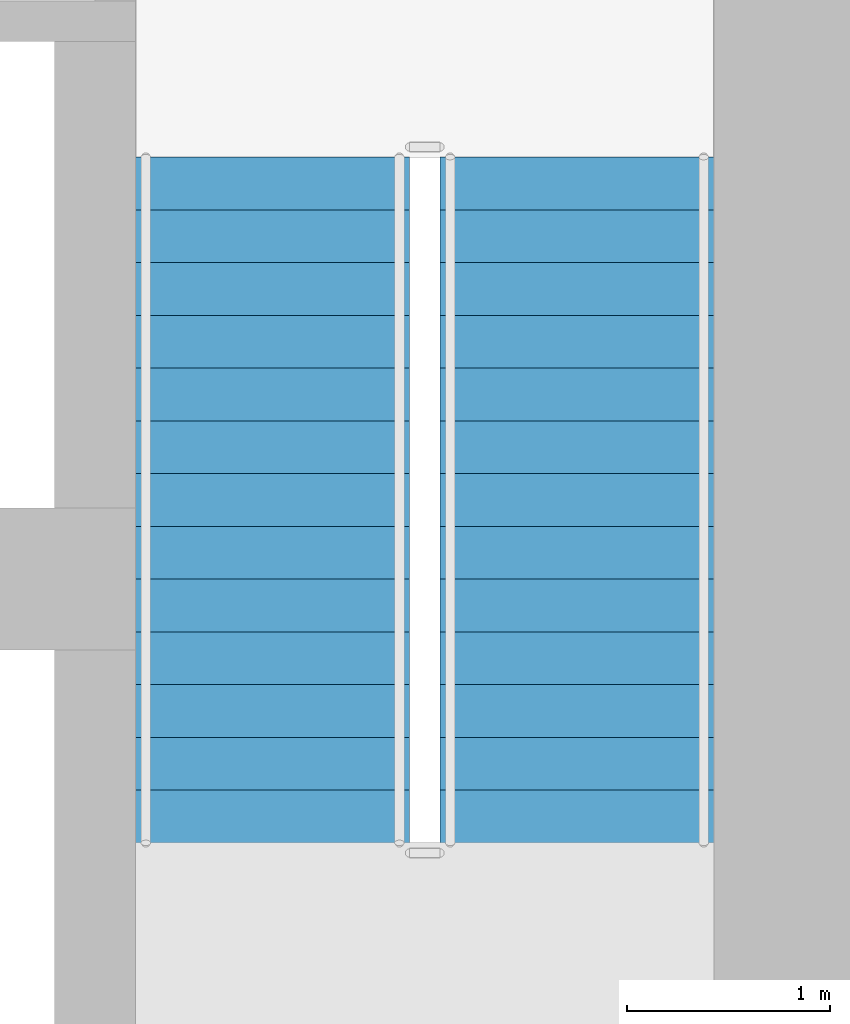
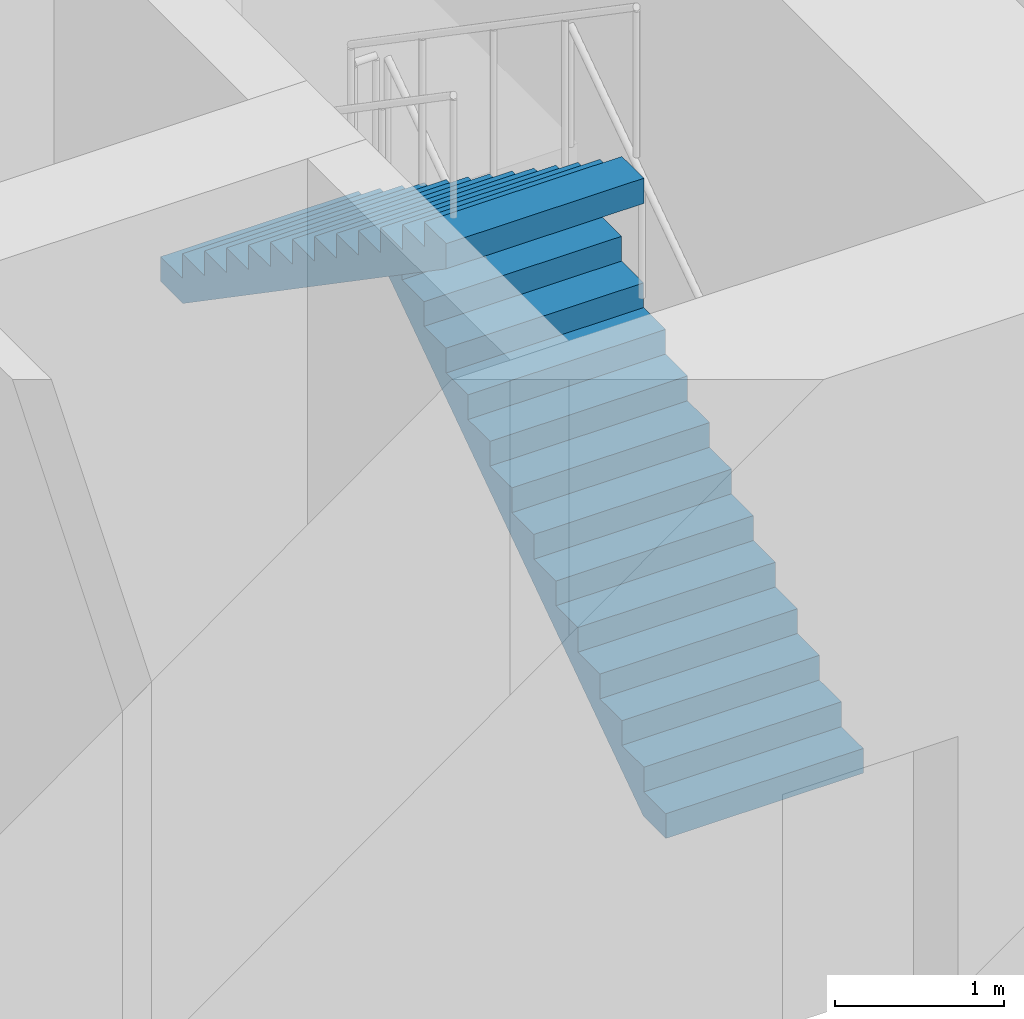
# One storey, part 10 of 15: 2 stair flights, 1 element without a shape of its own.
"""IFC4 building model written with IfcOpenShell, lengths in metres."""

from ifc_helpers import new_model, si_unit, direction, frame, origin, place, context, subcontext, project, spatial, polyline, outline, extrude, material, layer, layer_set, type_object, element, aggregate, save


model = new_model("IFC4")

# Units and contexts
model_context = context("Model", 3, precision=1e-05, world=origin(), true_north=direction((0.0, 1.0)))
body_context = subcontext(model_context, "Body", "Model", "MODEL_VIEW")
ifc_project = project(units=[si_unit("LENGTHUNIT", "METRE"), si_unit("AREAUNIT", "SQUARE_METRE"), si_unit("VOLUMEUNIT", "CUBIC_METRE"), si_unit("PLANEANGLEUNIT", "RADIAN"), si_unit("MASSUNIT", "GRAM", prefix="KILO")], contexts=[model_context])

# Site, building, storey
site_placement = place(None, origin())
site = spatial("IfcSite", under=ifc_project, at=site_placement, CompositionType="ELEMENT")
building_placement = place(site_placement, origin())
building = spatial("IfcBuilding", under=site, at=building_placement, Name="White Candle Pilgrim Tower", CompositionType="ELEMENT")
storey_placement = place(building_placement, frame((0.0, 0.0, 137.60009765625)))
storey = spatial("IfcBuildingStorey", under=building, at=storey_placement, Name="L31", CompositionType="ELEMENT", Elevation=137.60009765625)

# Stair, stair flights
ifc_material = material(Name="Concrete C40/50", Category="concrete")
stair_type = type_object("IfcStairType", Name="Exit stair 2 flight width 1350 mm", PredefinedType="HALF_TURN_STAIR", material=ifc_material)
stair_placement = place(storey_placement, origin())
stair = element("IfcStair", 1, at=stair_placement, inside=storey, type_object=stair_type, Name="L31 stair 2", PredefinedType="NOTDEFINED")
ifc_layer = layer(ifc_material, 0.14990234375)
ifc_layer_set = layer_set([ifc_layer], Name="Stair flight Concrete C40/50")
stair_flight_type = type_object("IfcStairFlightType", Name="Stair flight Concrete C40/50", PredefinedType="STRAIGHT", material=ifc_layer_set)
stair_flight_1_placement = place(storey_placement, frame((79.125, 73.550048828125, 0.0), z_axis=(0.0, 0.0, 1.0), x_axis=(0.0, 1.0, 0.0)))
stair_flight_1 = element("IfcStairFlight", 2, at=stair_flight_1_placement, type_object=stair_flight_type, Name="ST2 flight 1", NumberOfRisers=14, NumberOfTreads=13, PredefinedType="NOTDEFINED", RiserHeight=0.178571429, TreadLength=0.26, context=body_context, shape_type="SweptSolid", body=[
    extrude(outline(polyline([(0.0, 0.0), (0.0, 0.178466796875), (0.260009765625, 0.178466796875), (0.260009765625, 0.357177734375), (0.52001953125, 0.357177734375), (0.52001953125, 0.53564453125), (0.780029296875, 0.53564453125), (0.780029296875, 0.71435546875), (1.0400390625, 0.71435546875), (1.0400390625, 0.892822265625), (1.300048828125, 0.892822265625), (1.300048828125, 1.071533203125), (1.56005859375, 1.071533203125), (1.56005859375, 1.25), (1.820068359375, 1.25), (1.820068359375, 1.428466796875), (2.080078125, 1.428466796875), (2.080078125, 1.607177734375), (2.340087890625, 1.607177734375), (2.340087890625, 1.78564453125), (2.60009765625, 1.78564453125), (2.60009765625, 1.96435546875), (2.860107421875, 1.96435546875), (2.860107421875, 2.142822265625), (3.1201171875, 2.142822265625), (3.1201171875, 2.321533203125), (3.3798828125, 2.321533203125), (3.3798828125, 2.5), (3.3798828125, 2.1396484375), (0.264892578125, 0.0), (0.0, 0.0)])), frame((0.0, 0.675048828125, 0.0), z_axis=(0.0, -1.0, 0.0), x_axis=(1.0, 0.0, 0.0)), (0.0, 0.0, 1.0), 1.35009765625),
])
stair_flight_2_placement = place(storey_placement, frame((77.625, 76.929931640625, 2.5), z_axis=(0.0, 0.0, 1.0), x_axis=(0.0, -1.0, 0.0)))
stair_flight_2 = element("IfcStairFlight", 3, at=stair_flight_2_placement, type_object=stair_flight_type, Name="ST2 flight 2", NumberOfRisers=14, NumberOfTreads=13, PredefinedType="NOTDEFINED", RiserHeight=0.178571429, TreadLength=0.26, context=body_context, shape_type="SweptSolid", body=[
    extrude(outline(polyline([(0.0, 0.0), (0.0, 0.178466796875), (0.260009765625, 0.178466796875), (0.260009765625, 0.357177734375), (0.52001953125, 0.357177734375), (0.52001953125, 0.53564453125), (0.780029296875, 0.53564453125), (0.780029296875, 0.71435546875), (1.0400390625, 0.71435546875), (1.0400390625, 0.892822265625), (1.300048828125, 0.892822265625), (1.300048828125, 1.071533203125), (1.56005859375, 1.071533203125), (1.56005859375, 1.25), (1.820068359375, 1.25), (1.820068359375, 1.428466796875), (2.080078125, 1.428466796875), (2.080078125, 1.607177734375), (2.340087890625, 1.607177734375), (2.340087890625, 1.78564453125), (2.60009765625, 1.78564453125), (2.60009765625, 1.96435546875), (2.860107421875, 1.96435546875), (2.860107421875, 2.142822265625), (3.1201171875, 2.142822265625), (3.1201171875, 2.321533203125), (3.3798828125, 2.321533203125), (3.3798828125, 2.5), (3.3798828125, 2.1396484375), (0.264892578125, 0.0), (0.0, 0.0)])), frame((0.0, 0.675048828125, 0.0), z_axis=(0.0, -1.0, 0.0), x_axis=(1.0, 0.0, 0.0)), (0.0, 0.0, 1.0), 1.35009765625),
])
aggregate(stair, [stair_flight_1, stair_flight_2])

save(model, "model.ifc")
